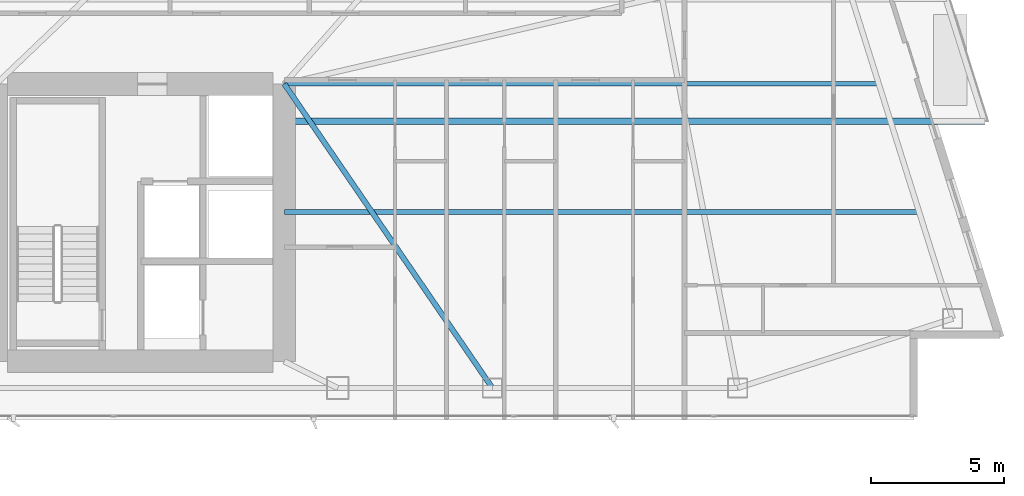
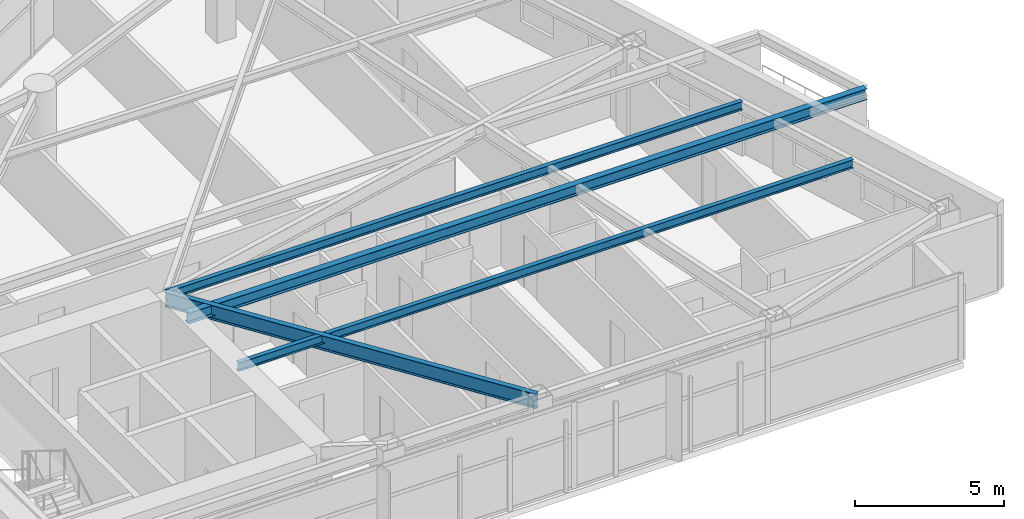
# One storey, part 13 of 29: 4 beams.
"""IFC4 building model written with IfcOpenShell, lengths in metres."""

from ifc_helpers import new_model, si_unit, direction, frame, origin, origin_2d, place, context, subcontext, project, spatial, i_section, extrude, material, material_profile, profile_set, type_object, element, save


model = new_model("IFC4")

# Units and contexts
model_context = context("Model", 3, precision=1e-05, world=origin(), true_north=direction((0.0, 1.0)))
body_context = subcontext(model_context, "Body", "Model", "MODEL_VIEW")
ifc_project = project(units=[si_unit("LENGTHUNIT", "METRE"), si_unit("AREAUNIT", "SQUARE_METRE"), si_unit("VOLUMEUNIT", "CUBIC_METRE"), si_unit("PLANEANGLEUNIT", "RADIAN"), si_unit("MASSUNIT", "GRAM", prefix="KILO")], contexts=[model_context])

# Site, building, storey
site_placement = place(None, origin())
site = spatial("IfcSite", under=ifc_project, at=site_placement, CompositionType="ELEMENT")
building_placement = place(site_placement, origin())
building = spatial("IfcBuilding", under=site, at=building_placement, Name="Calvorn Quay Hotel", CompositionType="ELEMENT")
storey_placement = place(building_placement, frame((0.0, 0.0, 175.10009765625)))
storey = spatial("IfcBuildingStorey", under=building, at=storey_placement, Name="L43", CompositionType="ELEMENT", Elevation=175.10009765625)

# Beams
ifc_material_1 = material(Name="Steel Q355B", Category="steel")
ifc_material_profile_1 = material_profile(ifc_material_1, i_section(OverallWidth=0.25, OverallDepth=0.449951171875, WebThickness=0.011962890625, FlangeThickness=0.01611328125, FilletRadius=0.01611328125, at=origin_2d()), Name="HN450x250x12x16")
ifc_profile_set_1 = profile_set([ifc_material_profile_1], Name="Steel Q355B")
beam_type_1 = type_object("IfcBeamType", Name="BM-CANT-BALC", PredefinedType="BEAM", material=ifc_profile_set_1)
beam_1_placement = place(storey_placement, frame((32.39990234375, 13.60009765625, 3.31494140625), z_axis=(1.0, 0.0, 0.0), x_axis=(0.0, 1.0, 0.0)))
element("IfcBeam", 1, at=beam_1_placement, inside=storey, type_object=beam_type_1, Name="Cantilever Balcony Beam BCB-L44-1A", PredefinedType="BEAM", context=body_context, shape_type="SweptSolid", body=[
    extrude(i_section(OverallWidth=0.25, OverallDepth=0.449951171875, WebThickness=0.011962890625, FlangeThickness=0.01611328125, FilletRadius=0.01611328125, at=origin_2d()), origin(), (0.0, 0.0, 1.0), 26.26904296875),
])
ifc_material_2 = material(Name="Steel Q355B", Category="steel")
ifc_material_profile_2 = material_profile(ifc_material_2, i_section(OverallWidth=0.199951171875, OverallDepth=0.60009765625, WebThickness=0.010986328125, FlangeThickness=0.01708984375, FilletRadius=0.01806640625, at=origin_2d()), Name="HN600x200x11x17")
ifc_profile_set_2 = profile_set([ifc_material_profile_2], Name="Steel Q355B")
beam_type_2 = type_object("IfcBeamType", Name="BM-GIRD-TYP", PredefinedType="BEAM", material=ifc_profile_set_2)
beam_2_placement = place(storey_placement, frame((40.199951171875, 3.60009765625, 3.239990234375), z_axis=(-0.564689618177, 0.825303359452, 0.0), x_axis=(-0.825303359452, -0.564689618177, 0.0)))
element("IfcBeam", 2, at=beam_2_placement, inside=storey, type_object=beam_type_2, Name="Beam BG-L43-E6", PredefinedType="BEAM", context=body_context, shape_type="SweptSolid", body=[
    extrude(i_section(OverallWidth=0.199951171875, OverallDepth=0.60009765625, WebThickness=0.010986328125, FlangeThickness=0.01708984375, FilletRadius=0.01806640625, at=origin_2d()), origin(), (0.0, 0.0, 1.0), 13.81298828125),
])
ifc_material_3 = material(Name="Steel Q355B", Category="steel")
ifc_material_profile_3 = material_profile(ifc_material_3, i_section(OverallWidth=0.175048828125, OverallDepth=0.35009765625, WebThickness=0.007080078125, FlangeThickness=0.010986328125, FilletRadius=0.013916015625, at=origin_2d()), Name="HN350x175x7x11")
ifc_profile_set_3 = profile_set([ifc_material_profile_3], Name="Steel Q355B")
beam_type_3 = type_object("IfcBeamType", Name="BM-JOIST-SEC", PredefinedType="JOIST", material=ifc_profile_set_3)
beam_3_placement = place(storey_placement, frame((32.39990234375, 10.199951171875, 3.364990234375), z_axis=(1.0, 0.0, 0.0), x_axis=(0.0, 1.0, 0.0)))
element("IfcBeam", 3, at=beam_3_placement, inside=storey, type_object=beam_type_3, Name="Beam BJ-L43-E1", PredefinedType="JOIST", context=body_context, shape_type="SweptSolid", body=[
    extrude(i_section(OverallWidth=0.175048828125, OverallDepth=0.35009765625, WebThickness=0.007080078125, FlangeThickness=0.010986328125, FilletRadius=0.013916015625, at=origin_2d()), origin(), (0.0, 0.0, 1.0), 23.801025390625),
])
beam_4_placement = place(storey_placement, frame((32.39990234375, 15.0, 3.364990234375), z_axis=(1.0, 0.0, 0.0), x_axis=(0.0, 1.0, 0.0)))
element("IfcBeam", 4, at=beam_4_placement, inside=storey, type_object=beam_type_3, Name="Beam BJ-L43-E2", PredefinedType="JOIST", context=body_context, shape_type="SweptSolid", body=[
    extrude(i_section(OverallWidth=0.175048828125, OverallDepth=0.35009765625, WebThickness=0.007080078125, FlangeThickness=0.010986328125, FilletRadius=0.013916015625, at=origin_2d()), origin(), (0.0, 0.0, 1.0), 22.2880859375),
])

save(model, "model.ifc")
